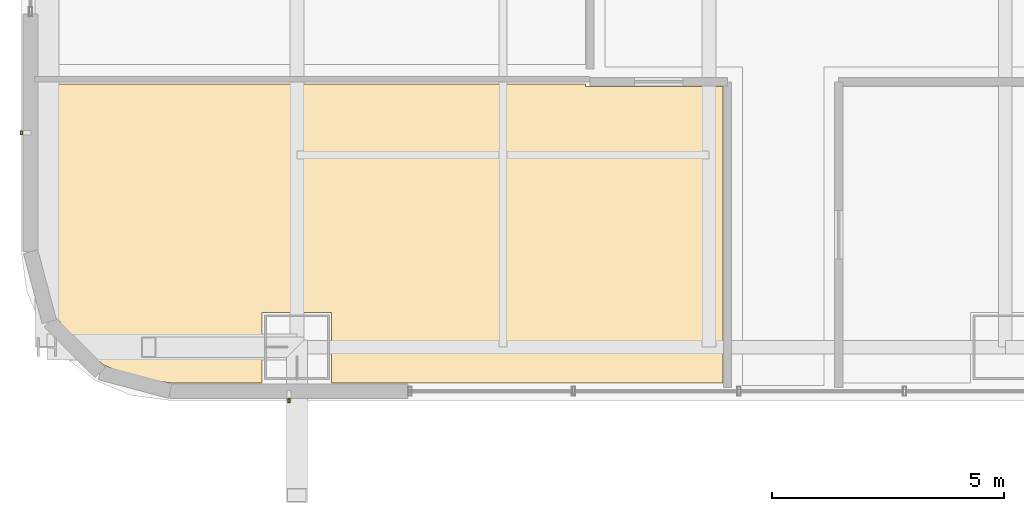
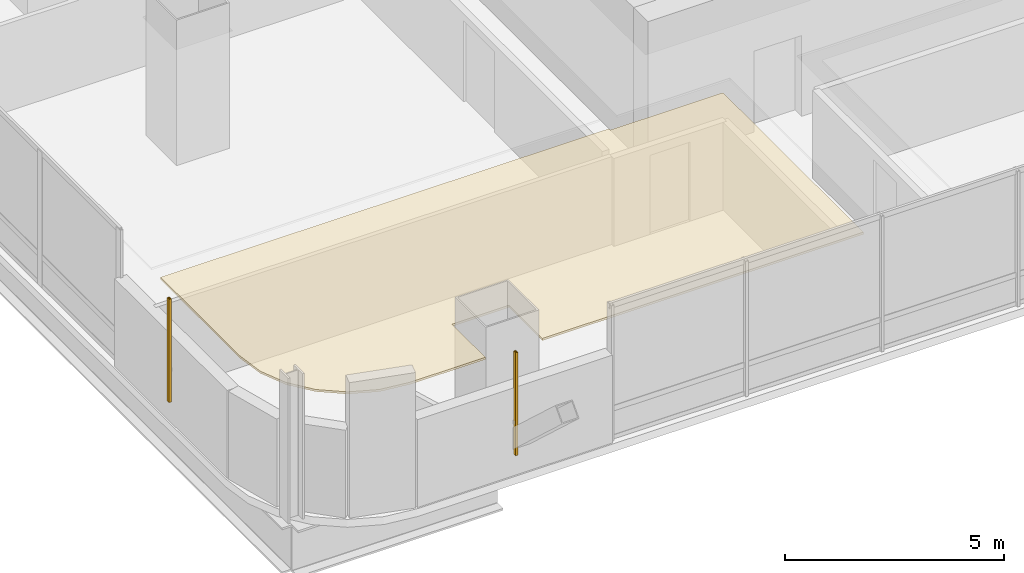
# One storey, part 38 of 47: 2 shading devices, 1 covering.
"""IFC4 building model written with IfcOpenShell, lengths in metres."""

from ifc_helpers import new_model, si_unit, direction, frame, origin, origin_2d, place, context, subcontext, project, spatial, polyline, hollow_rectangle, outline, extrude, material, layer, layer_set, material_profile, profile_set, type_object, element, save


model = new_model("IFC4")

# Units and contexts
model_context = context("Model", 3, precision=1e-05, world=origin(), true_north=direction((0.0, 1.0)))
body_context = subcontext(model_context, "Body", "Model", "MODEL_VIEW")
ifc_project = project(units=[si_unit("LENGTHUNIT", "METRE"), si_unit("AREAUNIT", "SQUARE_METRE"), si_unit("VOLUMEUNIT", "CUBIC_METRE"), si_unit("PLANEANGLEUNIT", "RADIAN"), si_unit("MASSUNIT", "GRAM", prefix="KILO")], contexts=[model_context])

# Site, building, storey
site_placement = place(None, origin())
site = spatial("IfcSite", under=ifc_project, at=site_placement, CompositionType="ELEMENT")
building_placement = place(site_placement, origin())
building = spatial("IfcBuilding", under=site, at=building_placement, Name="Punatoya Terracotta Tower", CompositionType="ELEMENT")
storey_placement = place(building_placement, frame((0.0, 0.0, 168.14990234375)))
storey = spatial("IfcBuildingStorey", under=building, at=storey_placement, Name="L39", CompositionType="ELEMENT", Elevation=168.14990234375)

# Covering
ifc_material_1 = material(Name="Acoustic Mineral Fibre Ceiling")
ifc_layer = layer(ifc_material_1, 0.06005859375)
ifc_layer_set = layer_set([ifc_layer], Name="Acoustic Mineral Fibre Ceiling")
covering_type = type_object("IfcCoveringType", Name="COV-CEIL-60", PredefinedType="CEILING", material=ifc_layer_set)
covering_placement = place(storey_placement, frame((0.0, 0.0, 3.22021484375)))
element("IfcCovering", 1, at=covering_placement, inside=storey, type_object=covering_type, Name="L39 Open-Plan Occupational Rest Lounge Acoustic Ceiling", PredefinedType="CEILING", context=body_context, shape_type="SweptSolid", body=[
    extrude(outline(polyline([(-19.85009765625, -18.27001953125), (-19.85009765625, -16.75), (-18.35009765625, -16.75), (-18.35009765625, -18.27001953125), (-9.89990234375, -18.27001953125), (-9.89990234375, -11.8701171875), (-12.8701171875, -11.8701171875), (-12.8701171875, -11.81005859375), (-24.669921875, -11.81005859375), (-24.669921875, -15.425048828125), (-24.57080078125, -16.178955078125), (-24.289306640625, -16.8583984375), (-23.841796875, -17.441650390625), (-23.25830078125, -17.889404296875), (-22.5791015625, -18.1708984375), (-21.8251953125, -18.27001953125), (-19.85009765625, -18.27001953125)])), origin(), (0.0, 0.0, 1.0), 0.059814453125),
])

# Shading devices
ifc_material_2 = material(Name="Architectural Fired Terracotta", Category="masonry")
ifc_material_profile = material_profile(ifc_material_2, hollow_rectangle(XDim=0.06005859375, YDim=0.090087890625, WallThickness=0.013916015625, at=origin_2d()))
ifc_profile_set = profile_set([ifc_material_profile], Name="Architectural Fired Terracotta")
shading_device_type = type_object("IfcShadingDeviceType", Name="SHD-JALI-90", PredefinedType="JALOUSIE", material=ifc_profile_set)
for number, where, z_axis, x_axis, name in (
    (2, (-19.2685546875, -18.64990234375, 0.60009765625), (0.0, 0.0, 1.0), (1.0, 0.0, 0.0), "L39 Braced Bay Terracotta Jali Fin S1"),
    (3, (-25.050048828125, -12.868408203125, 0.60009765625), (0.0, 0.0, 1.0), (1.0, 0.0, 0.0), "L39 Braced Bay Terracotta Jali Fin W2"),
):
    element("IfcShadingDevice", number, at=place(storey_placement, frame(where, z_axis=z_axis, x_axis=x_axis)), inside=storey, type_object=shading_device_type, Name=name, PredefinedType="JALOUSIE", context=body_context, shape_type="SweptSolid", body=[
        extrude(hollow_rectangle(XDim=0.06005859375, YDim=0.090087890625, WallThickness=0.013916015625, at=origin_2d()), origin(), (0.0, 0.0, 1.0), 2.8701171875),
    ])

save(model, "model.ifc")
